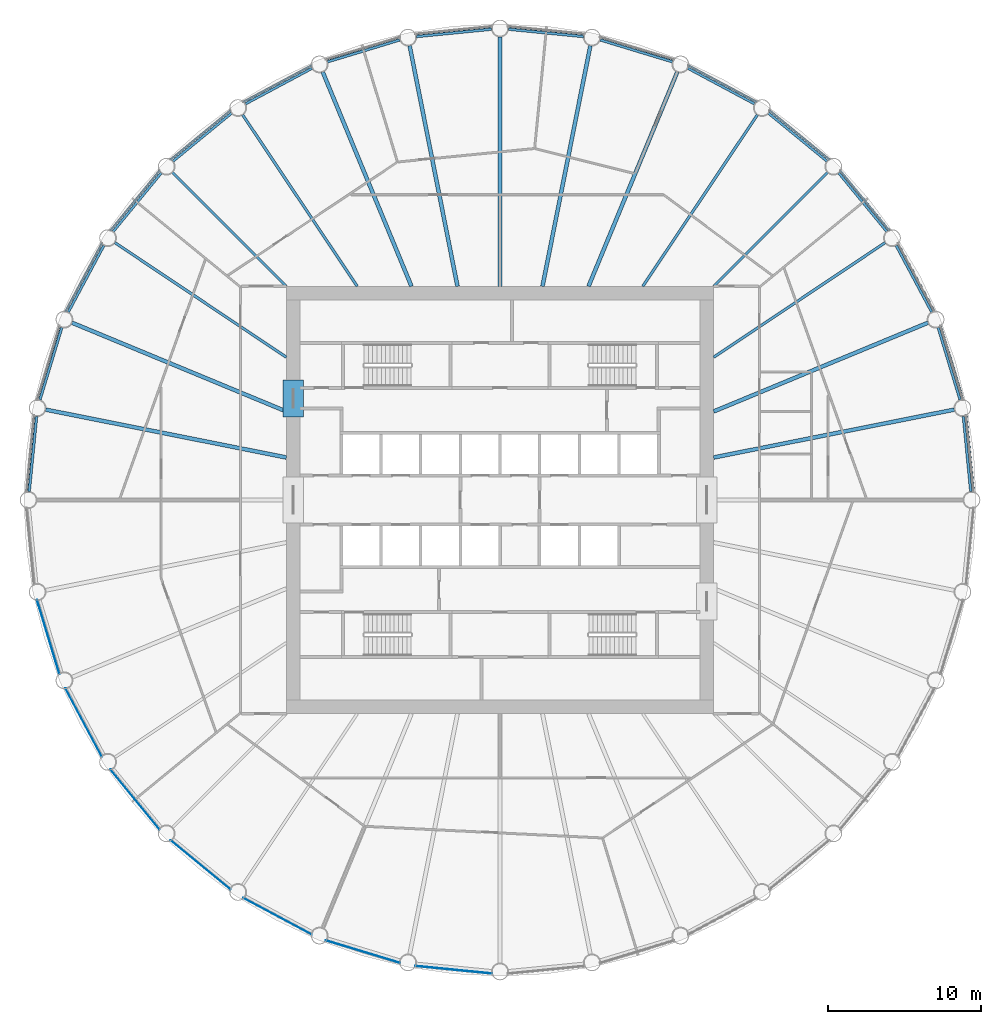
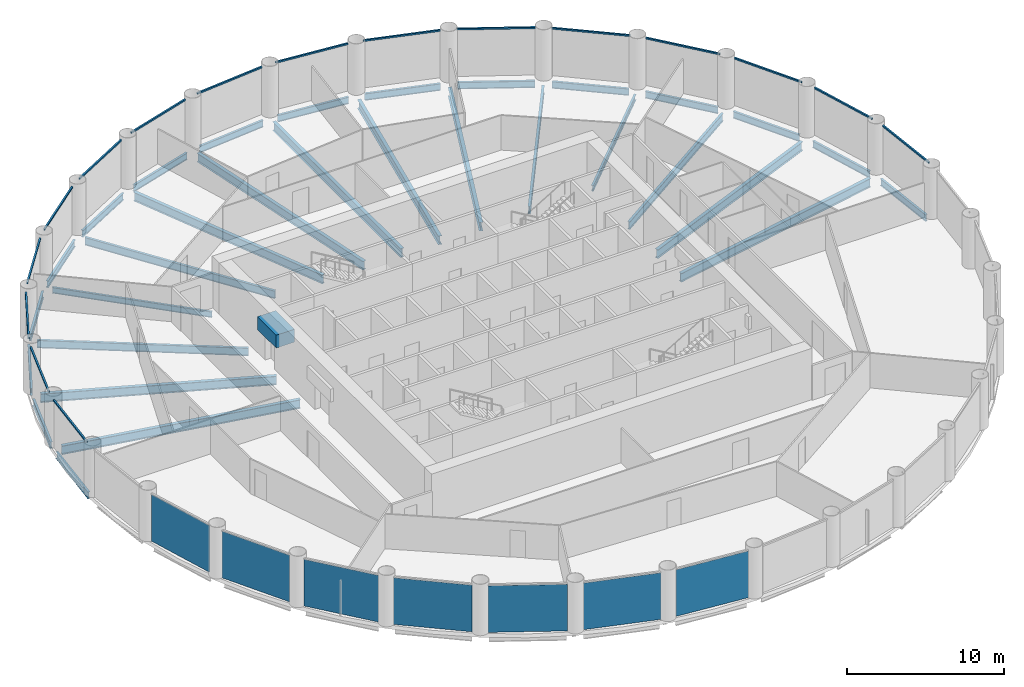
# One storey, part 2 of 9: 32 beams, 16 members, 7 plates, 23 elements without a shape of their own.
"""IFC4 building model written with IfcOpenShell, lengths in metres."""

from ifc_helpers import new_model, si_unit, direction, frame, origin, origin_2d, place, context, subcontext, project, spatial, rectangle, i_section, extrude, material, layer, layer_set, material_profile, profile_set, type_object, element, aggregate, save


model = new_model("IFC4")

# Units and contexts
model_context = context("Model", 3, precision=1e-05, world=origin(), true_north=direction((0.0, 1.0)))
body_context = subcontext(model_context, "Body", "Model", "MODEL_VIEW")
ifc_project = project(units=[si_unit("LENGTHUNIT", "METRE"), si_unit("AREAUNIT", "SQUARE_METRE"), si_unit("VOLUMEUNIT", "CUBIC_METRE"), si_unit("PLANEANGLEUNIT", "RADIAN"), si_unit("MASSUNIT", "GRAM", prefix="KILO")], contexts=[model_context])

# Site, building, storey
site_placement = place(None, origin())
site = spatial("IfcSite", under=ifc_project, at=site_placement, CompositionType="ELEMENT")
building_placement = place(site_placement, origin())
building = spatial("IfcBuilding", under=site, at=building_placement, Name="Corvane Civic Tower", CompositionType="ELEMENT")
storey_placement = place(building_placement, frame((0.0, 0.0, 180.0)))
storey = spatial("IfcBuildingStorey", under=building, at=storey_placement, Name="L42", CompositionType="ELEMENT", Elevation=180.0)

# Beams
ifc_material_1 = material(Name="Concrete C60/75", Category="concrete")
ifc_material_profile_1 = material_profile(ifc_material_1, rectangle(XDim=1.35009765625, YDim=1.0, at=origin_2d()), Name="COUPLING BEAM 1350X1000")
ifc_profile_set_1 = profile_set([ifc_material_profile_1], Name="Concrete C60/75")
beam_type_1 = type_object("IfcBeamType", Name="COUPLING BEAM COUPLING BEAM 1350X1000", PredefinedType="BEAM", material=ifc_profile_set_1)
beam_1_placement = place(storey_placement, frame((-13.550048828125, 5.449951171875, 2.60009765625), z_axis=(0.0, 1.0, 0.0), x_axis=(-1.0, 0.0, 0.0)))
element("IfcBeam", 1, at=beam_1_placement, inside=storey, type_object=beam_type_1, Name="BM-L42-cpl-CW-WN", PredefinedType="BEAM", context=body_context, shape_type="SweptSolid", body=[
    extrude(rectangle(XDim=1.35009765625, YDim=1.0, at=origin_2d()), origin(), (0.0, 0.0, 1.0), 2.400146484375),
])
ifc_material_2 = material(Name="Steel ASTM A992 Gr 50", Category="steel")
ifc_material_profile_2 = material_profile(ifc_material_2, i_section(OverallWidth=0.165771484375, OverallDepth=0.5283203125, WebThickness=0.009765625, FlangeThickness=0.013671875, at=origin_2d()), Name="W21X50")
ifc_profile_set_2 = profile_set([ifc_material_profile_2], Name="Steel ASTM A992 Gr 50")
beam_type_2 = type_object("IfcBeamType", Name="EDGE BEAM W21X50", PredefinedType="BEAM", material=ifc_profile_set_2)
beam_2_placement = place(storey_placement, frame((0.54736328125, 30.845947265625, -0.564208984375), z_axis=(0.995186236294, -0.09800181167, 0.0), x_axis=(0.09800181167, 0.995186236294, 0.0)))
element("IfcBeam", 2, at=beam_2_placement, inside=storey, type_object=beam_type_2, Name="BM-L42-E01", PredefinedType="BEAM", context=body_context, shape_type="SweptSolid", body=[
    extrude(i_section(OverallWidth=0.165771484375, OverallDepth=0.5283203125, WebThickness=0.009765625, FlangeThickness=0.013671875, at=origin_2d()), origin(), (0.0, 0.0, 1.0), 4.95751953125),
])
beam_3_placement = place(storey_placement, frame((6.5546875, 30.146484375, -0.564208984375), z_axis=(0.956944842086, -0.290269821381, 0.0), x_axis=(0.290269821381, 0.956944842086, 0.0)))
element("IfcBeam", 3, at=beam_3_placement, inside=storey, type_object=beam_type_2, Name="BM-L42-E02", PredefinedType="BEAM", context=body_context, shape_type="SweptSolid", body=[
    extrude(i_section(OverallWidth=0.165771484375, OverallDepth=0.5283203125, WebThickness=0.009765625, FlangeThickness=0.013671875, at=origin_2d()), origin(), (0.0, 0.0, 1.0), 4.957275390625),
])
for number, where, z_axis, x_axis, name in (
    (4, (12.31005859375, 28.28857421875, -0.564208984375), (0.881921784846, -0.471395763042, 0.0), (0.471395763042, 0.881921784846, 0.0), "BM-L42-E03"),
    (5, (17.59228515625, 25.343505859375, -0.564208984375), (0.77301516208, -0.634387546532, 0.0), (0.634387546532, 0.77301516208, 0.0), "BM-L42-E04"),
    (6, (22.198486328125, 21.424560546875, -0.564208984375), (0.634387546532, -0.77301516208, 0.0), (0.77301516208, 0.634387546532, 0.0), "BM-L42-E05"),
    (7, (25.95166015625, 16.68212890625, -0.564208984375), (0.471395763042, -0.881921784846, 0.0), (0.881921784846, 0.471395763042, 0.0), "BM-L42-E06"),
):
    element("IfcBeam", number, at=place(storey_placement, frame(where, z_axis=z_axis, x_axis=x_axis)), inside=storey, type_object=beam_type_2, Name=name, PredefinedType="BEAM", context=body_context, shape_type="SweptSolid", body=[
        extrude(i_section(OverallWidth=0.165771484375, OverallDepth=0.5283203125, WebThickness=0.009765625, FlangeThickness=0.013671875, at=origin_2d()), origin(), (0.0, 0.0, 1.0), 4.95751953125),
    ])
beam_4_placement = place(storey_placement, frame((28.70751953125, 11.298583984375, -0.564208984375), z_axis=(0.290269821381, -0.956944842086, 0.0), x_axis=(0.956944842086, 0.290269821381, 0.0)))
element("IfcBeam", 8, at=beam_4_placement, inside=storey, type_object=beam_type_2, Name="BM-L42-E07", PredefinedType="BEAM", context=body_context, shape_type="SweptSolid", body=[
    extrude(i_section(OverallWidth=0.165771484375, OverallDepth=0.5283203125, WebThickness=0.009765625, FlangeThickness=0.013671875, at=origin_2d()), origin(), (0.0, 0.0, 1.0), 4.957275390625),
])
for number, where, z_axis, x_axis, name in (
    (9, (30.360107421875, 5.48095703125, -0.564208984375), (0.09800181167, -0.995186236294, 0.0), (0.995186236294, 0.09800181167, 0.0), "BM-L42-E08"),
    (10, (-30.845947265625, 0.54736328125, -0.564208984375), (0.09800181167, 0.995186236294, 0.0), (-0.995186236294, 0.09800181167, 0.0), "BM-L42-E25"),
):
    element("IfcBeam", number, at=place(storey_placement, frame(where, z_axis=z_axis, x_axis=x_axis)), inside=storey, type_object=beam_type_2, Name=name, PredefinedType="BEAM", context=body_context, shape_type="SweptSolid", body=[
        extrude(i_section(OverallWidth=0.165771484375, OverallDepth=0.5283203125, WebThickness=0.009765625, FlangeThickness=0.013671875, at=origin_2d()), origin(), (0.0, 0.0, 1.0), 4.95751953125),
    ])
beam_5_placement = place(storey_placement, frame((-30.146484375, 6.5546875, -0.564208984375), z_axis=(0.290269821381, 0.956944842086, 0.0), x_axis=(-0.956944842086, 0.290269821381, 0.0)))
element("IfcBeam", 11, at=beam_5_placement, inside=storey, type_object=beam_type_2, Name="BM-L42-E26", PredefinedType="BEAM", context=body_context, shape_type="SweptSolid", body=[
    extrude(i_section(OverallWidth=0.165771484375, OverallDepth=0.5283203125, WebThickness=0.009765625, FlangeThickness=0.013671875, at=origin_2d()), origin(), (0.0, 0.0, 1.0), 4.957275390625),
])
for number, where, z_axis, x_axis, name in (
    (12, (-28.28857421875, 12.31005859375, -0.564208984375), (0.471395763042, 0.881921784846, 0.0), (-0.881921784846, 0.471395763042, 0.0), "BM-L42-E27"),
    (13, (-25.343505859375, 17.59228515625, -0.564208984375), (0.634387546532, 0.77301516208, 0.0), (-0.77301516208, 0.634387546532, 0.0), "BM-L42-E28"),
    (14, (-21.424560546875, 22.198486328125, -0.564208984375), (0.77301516208, 0.634387546532, 0.0), (-0.634387546532, 0.77301516208, 0.0), "BM-L42-E29"),
    (15, (-16.68212890625, 25.95166015625, -0.564208984375), (0.881921784846, 0.471395763042, 0.0), (-0.471395763042, 0.881921784846, 0.0), "BM-L42-E30"),
):
    element("IfcBeam", number, at=place(storey_placement, frame(where, z_axis=z_axis, x_axis=x_axis)), inside=storey, type_object=beam_type_2, Name=name, PredefinedType="BEAM", context=body_context, shape_type="SweptSolid", body=[
        extrude(i_section(OverallWidth=0.165771484375, OverallDepth=0.5283203125, WebThickness=0.009765625, FlangeThickness=0.013671875, at=origin_2d()), origin(), (0.0, 0.0, 1.0), 4.95751953125),
    ])
beam_6_placement = place(storey_placement, frame((-11.298583984375, 28.70751953125, -0.564208984375), z_axis=(0.956944842086, 0.290269821381, 0.0), x_axis=(-0.290269821381, 0.956944842086, 0.0)))
element("IfcBeam", 16, at=beam_6_placement, inside=storey, type_object=beam_type_2, Name="BM-L42-E31", PredefinedType="BEAM", context=body_context, shape_type="SweptSolid", body=[
    extrude(i_section(OverallWidth=0.165771484375, OverallDepth=0.5283203125, WebThickness=0.009765625, FlangeThickness=0.013671875, at=origin_2d()), origin(), (0.0, 0.0, 1.0), 4.957275390625),
])
beam_7_placement = place(storey_placement, frame((-5.48095703125, 30.360107421875, -0.564208984375), z_axis=(0.995186236294, 0.09800181167, 0.0), x_axis=(-0.09800181167, 0.995186236294, 0.0)))
element("IfcBeam", 17, at=beam_7_placement, inside=storey, type_object=beam_type_2, Name="BM-L42-E32", PredefinedType="BEAM", context=body_context, shape_type="SweptSolid", body=[
    extrude(i_section(OverallWidth=0.165771484375, OverallDepth=0.5283203125, WebThickness=0.009765625, FlangeThickness=0.013671875, at=origin_2d()), origin(), (0.0, 0.0, 1.0), 4.95751953125),
])
ifc_material_3 = material(Name="Steel ASTM A992 Gr 50", Category="steel")
ifc_material_profile_3 = material_profile(ifc_material_3, i_section(OverallWidth=0.15283203125, OverallDepth=0.45458984375, WebThickness=0.008056640625, FlangeThickness=0.013427734375, at=origin_2d()), Name="W18X40")
ifc_profile_set_3 = profile_set([ifc_material_profile_3], Name="Steel ASTM A992 Gr 50")
beam_type_3 = type_object("IfcBeamType", Name="FLOOR GIRDER W18X40", PredefinedType="BEAM", material=ifc_profile_set_3)
for number, where, z_axis, x_axis, name in (
    (18, (14.0, 14.0, -0.52734375), (0.707106781187, 0.707106781187, 0.0), (-0.707106781187, 0.707106781187, 0.0), "BM-L42-G05"),
    (19, (-14.0, 14.0, -0.52734375), (-0.707106781187, 0.707106781187, 0.0), (-0.707106781187, -0.707106781187, 0.0), "BM-L42-G29"),
):
    element("IfcBeam", number, at=place(storey_placement, frame(where, z_axis=z_axis, x_axis=x_axis)), inside=storey, type_object=beam_type_3, Name=name, PredefinedType="BEAM", context=body_context, shape_type="SweptSolid", body=[
        extrude(i_section(OverallWidth=0.15283203125, OverallDepth=0.45458984375, WebThickness=0.008056640625, FlangeThickness=0.013427734375, at=origin_2d()), origin(), (0.0, 0.0, 1.0), 10.551025390625),
    ])
ifc_material_4 = material(Name="Steel ASTM A992 Gr 50", Category="steel")
ifc_material_profile_4 = material_profile(ifc_material_4, i_section(OverallWidth=0.177978515625, OverallDepth=0.599365234375, WebThickness=0.010009765625, FlangeThickness=0.012939453125, at=origin_2d()), Name="W24X55")
ifc_profile_set_4 = profile_set([ifc_material_profile_4], Name="Steel ASTM A992 Gr 50")
beam_type_4 = type_object("IfcBeamType", Name="FLOOR GIRDER W24X55", PredefinedType="BEAM", material=ifc_profile_set_4)
for number, where, z_axis, x_axis, name in (
    (20, (9.3544921875, 14.0, -0.599609375), (0.555571323015, 0.83146888399, 0.0), (-0.83146888399, 0.555571323015, 0.0), "BM-L42-G04"),
    (21, (14.0, 9.3544921875, -0.599609375), (0.83146888399, 0.555571323015, 0.0), (-0.555571323015, 0.83146888399, 0.0), "BM-L42-G06"),
    (22, (-14.0, 9.3544921875, -0.599609375), (-0.83146888399, 0.555571323015, 0.0), (-0.555571323015, -0.83146888399, 0.0), "BM-L42-G28"),
    (23, (-9.3544921875, 14.0, -0.599609375), (-0.555571323015, 0.83146888399, 0.0), (-0.83146888399, -0.555571323015, 0.0), "BM-L42-G30"),
):
    element("IfcBeam", number, at=place(storey_placement, frame(where, z_axis=z_axis, x_axis=x_axis)), inside=storey, type_object=beam_type_4, Name=name, PredefinedType="BEAM", context=body_context, shape_type="SweptSolid", body=[
        extrude(i_section(OverallWidth=0.177978515625, OverallDepth=0.599365234375, WebThickness=0.010009765625, FlangeThickness=0.012939453125, at=origin_2d()), origin(), (0.0, 0.0, 1.0), 13.512451171875),
    ])
ifc_material_5 = material(Name="Steel ASTM A992 Gr 50", Category="steel")
ifc_material_profile_5 = material_profile(ifc_material_5, i_section(OverallWidth=0.25390625, OverallDepth=0.67822265625, WebThickness=0.01171875, FlangeThickness=0.016357421875, at=origin_2d()), Name="W27X84")
ifc_profile_set_5 = profile_set([ifc_material_profile_5], Name="Steel ASTM A992 Gr 50")
beam_type_5 = type_object("IfcBeamType", Name="FLOOR GIRDER W27X84", PredefinedType="BEAM", material=ifc_profile_set_5)
beam_8_placement = place(storey_placement, frame((0.0, 14.0, -0.63916015625), z_axis=(0.0, 1.0, 0.0), x_axis=(-1.0, 0.0, 0.0)))
element("IfcBeam", 24, at=beam_8_placement, inside=storey, type_object=beam_type_5, Name="BM-L42-G01", PredefinedType="BEAM", context=body_context, shape_type="SweptSolid", body=[
    extrude(i_section(OverallWidth=0.25390625, OverallDepth=0.67822265625, WebThickness=0.01171875, FlangeThickness=0.016357421875, at=origin_2d()), origin(), (0.0, 0.0, 1.0), 16.35009765625),
])
beam_9_placement = place(storey_placement, frame((2.78466796875, 14.0, -0.63916015625), z_axis=(0.195090912248, 0.980785162999, 0.0), x_axis=(-0.980785162999, 0.195090912248, 0.0)))
element("IfcBeam", 25, at=beam_9_placement, inside=storey, type_object=beam_type_5, Name="BM-L42-G02", PredefinedType="BEAM", context=body_context, shape_type="SweptSolid", body=[
    extrude(i_section(OverallWidth=0.25390625, OverallDepth=0.67822265625, WebThickness=0.01171875, FlangeThickness=0.016357421875, at=origin_2d()), origin(), (0.0, 0.0, 1.0), 16.07568359375),
])
for number, where, z_axis, x_axis, name in (
    (26, (5.799072265625, 14.0, -0.63916015625), (0.38268097323, 0.923880551114, 0.0), (-0.923880551114, 0.38268097323, 0.0), "BM-L42-G03"),
    (27, (14.0, 5.799072265625, -0.63916015625), (0.923880551114, 0.38268097323, 0.0), (-0.38268097323, 0.923880551114, 0.0), "BM-L42-G07"),
):
    element("IfcBeam", number, at=place(storey_placement, frame(where, z_axis=z_axis, x_axis=x_axis)), inside=storey, type_object=beam_type_5, Name=name, PredefinedType="BEAM", context=body_context, shape_type="SweptSolid", body=[
        extrude(i_section(OverallWidth=0.25390625, OverallDepth=0.67822265625, WebThickness=0.01171875, FlangeThickness=0.016357421875, at=origin_2d()), origin(), (0.0, 0.0, 1.0), 15.196533203125),
    ])
for number, where, z_axis, x_axis, name in (
    (28, (14.0, 2.78466796875, -0.63916015625), (0.980785162999, 0.195090912248, 0.0), (-0.195090912248, 0.980785162999, 0.0), "BM-L42-G08"),
    (29, (-14.0, 2.78466796875, -0.63916015625), (-0.980785162999, 0.195090912248, 0.0), (-0.195090912248, -0.980785162999, 0.0), "BM-L42-G26"),
):
    element("IfcBeam", number, at=place(storey_placement, frame(where, z_axis=z_axis, x_axis=x_axis)), inside=storey, type_object=beam_type_5, Name=name, PredefinedType="BEAM", context=body_context, shape_type="SweptSolid", body=[
        extrude(i_section(OverallWidth=0.25390625, OverallDepth=0.67822265625, WebThickness=0.01171875, FlangeThickness=0.016357421875, at=origin_2d()), origin(), (0.0, 0.0, 1.0), 16.07568359375),
    ])
for number, where, z_axis, x_axis, name in (
    (30, (-14.0, 5.799072265625, -0.63916015625), (-0.923880551114, 0.38268097323, 0.0), (-0.38268097323, -0.923880551114, 0.0), "BM-L42-G27"),
    (31, (-5.799072265625, 14.0, -0.63916015625), (-0.38268097323, 0.923880551114, 0.0), (-0.923880551114, -0.38268097323, 0.0), "BM-L42-G31"),
):
    element("IfcBeam", number, at=place(storey_placement, frame(where, z_axis=z_axis, x_axis=x_axis)), inside=storey, type_object=beam_type_5, Name=name, PredefinedType="BEAM", context=body_context, shape_type="SweptSolid", body=[
        extrude(i_section(OverallWidth=0.25390625, OverallDepth=0.67822265625, WebThickness=0.01171875, FlangeThickness=0.016357421875, at=origin_2d()), origin(), (0.0, 0.0, 1.0), 15.196533203125),
    ])
beam_10_placement = place(storey_placement, frame((-2.78466796875, 14.0, -0.63916015625), z_axis=(-0.195090912248, 0.980785162999, 0.0), x_axis=(-0.980785162999, -0.195090912248, 0.0)))
element("IfcBeam", 32, at=beam_10_placement, inside=storey, type_object=beam_type_5, Name="BM-L42-G32", PredefinedType="BEAM", context=body_context, shape_type="SweptSolid", body=[
    extrude(i_section(OverallWidth=0.25390625, OverallDepth=0.67822265625, WebThickness=0.01171875, FlangeThickness=0.016357421875, at=origin_2d()), origin(), (0.0, 0.0, 1.0), 16.07568359375),
])

# Curtain wall, member
ifc_material_6 = material(Name="Anodised aluminium bronze", Category="aluminium")
curtain_wall_type = type_object("IfcCurtainWallType", Name="TOWER CW-T2 STICK CURTAIN WALL", PredefinedType="NOTDEFINED", material=ifc_material_6)
curtain_wall_1_placement = place(storey_placement, origin())
curtain_wall_1 = element("IfcCurtainWall", 33, at=curtain_wall_1_placement, inside=storey, type_object=curtain_wall_type, Name="Curtain wall CW-T2 L42 bay 01", PredefinedType="NOTDEFINED")
ifc_material_7 = material(Name="Anodised aluminium bronze", Category="aluminium")
ifc_material_profile_6 = material_profile(ifc_material_7, rectangle(XDim=0.1201171875, YDim=0.1201171875, at=origin_2d()), Name="TOWER CW-T2 TRANSOM 120x120")
ifc_profile_set_6 = profile_set([ifc_material_profile_6], Name="Anodised aluminium bronze")
member_type = type_object("IfcMemberType", Name="TOWER CW-T2 TRANSOM 120x120", PredefinedType="USERDEFINED", material=ifc_profile_set_6)
member_1_placement = place(storey_placement, frame((0.505126953125, 31.0302734375, 3.68994140625), z_axis=(0.995187423416, -0.097989755963, 0.0), x_axis=(0.097989755963, 0.995187423416, 0.0)))
member_1 = element("IfcMember", 34, at=member_1_placement, type_object=member_type, Name="Transom CW-T2 L42 01.1", ObjectType="TRANSOM", PredefinedType="USERDEFINED", context=body_context, shape_type="SweptSolid", body=[
    extrude(rectangle(XDim=0.1201171875, YDim=0.1201171875, at=origin_2d()), origin(), (0.0, 0.0, 1.0), 5.07763671875),
])
aggregate(curtain_wall_1, [member_1])

curtain_wall_2_placement = place(storey_placement, origin())
curtain_wall_2 = element("IfcCurtainWall", 35, at=curtain_wall_2_placement, inside=storey, type_object=curtain_wall_type, Name="Curtain wall CW-T2 L42 bay 02", PredefinedType="NOTDEFINED")
member_2_placement = place(storey_placement, frame((6.54931640625, 30.33544921875, 3.68994140625), z_axis=(0.956939031389, -0.290288977061, 0.0), x_axis=(0.290288977061, 0.956939031389, 0.0)))
member_2 = element("IfcMember", 36, at=member_2_placement, type_object=member_type, Name="Transom CW-T2 L42 02.1", ObjectType="TRANSOM", PredefinedType="USERDEFINED", context=body_context, shape_type="SweptSolid", body=[
    extrude(rectangle(XDim=0.1201171875, YDim=0.1201171875, at=origin_2d()), origin(), (0.0, 0.0, 1.0), 5.077392578125),
])
aggregate(curtain_wall_2, [member_2])

curtain_wall_3_placement = place(storey_placement, origin())
curtain_wall_3 = element("IfcCurtainWall", 37, at=curtain_wall_3_placement, inside=storey, type_object=curtain_wall_type, Name="Curtain wall CW-T2 L42 bay 03", PredefinedType="NOTDEFINED")
member_3_placement = place(storey_placement, frame((12.341552734375, 28.474853515625, 3.68994140625), z_axis=(0.881921329426, -0.471396615074, 0.0), x_axis=(0.471396615074, 0.881921329426, 0.0)))
member_3 = element("IfcMember", 38, at=member_3_placement, type_object=member_type, Name="Transom CW-T2 L42 03.1", ObjectType="TRANSOM", PredefinedType="USERDEFINED", context=body_context, shape_type="SweptSolid", body=[
    extrude(rectangle(XDim=0.1201171875, YDim=0.1201171875, at=origin_2d()), origin(), (0.0, 0.0, 1.0), 5.07763671875),
])
aggregate(curtain_wall_3, [member_3])

curtain_wall_4_placement = place(storey_placement, origin())
curtain_wall_4 = element("IfcCurtainWall", 39, at=curtain_wall_4_placement, inside=storey, type_object=curtain_wall_type, Name="Curtain wall CW-T2 L42 bay 04", PredefinedType="NOTDEFINED")
member_4_placement = place(storey_placement, frame((17.65966796875, 25.519775390625, 3.68994140625), z_axis=(0.773015929719, -0.634386611146, 0.0), x_axis=(0.634386611146, 0.773015929719, 0.0)))
member_4 = element("IfcMember", 40, at=member_4_placement, type_object=member_type, Name="Transom CW-T2 L42 04.1", ObjectType="TRANSOM", PredefinedType="USERDEFINED", context=body_context, shape_type="SweptSolid", body=[
    extrude(rectangle(XDim=0.1201171875, YDim=0.1201171875, at=origin_2d()), origin(), (0.0, 0.0, 1.0), 5.0771484375),
])
aggregate(curtain_wall_4, [member_4])

curtain_wall_5_placement = place(storey_placement, origin())
curtain_wall_5 = element("IfcCurtainWall", 41, at=curtain_wall_5_placement, inside=storey, type_object=curtain_wall_type, Name="Curtain wall CW-T2 L42 bay 05", PredefinedType="NOTDEFINED")
member_5_placement = place(storey_placement, frame((22.298828125, 21.58447265625, 3.68994140625), z_axis=(0.634386611146, -0.773015929719, 0.0), x_axis=(0.773015929719, 0.634386611146, 0.0)))
member_5 = element("IfcMember", 42, at=member_5_placement, type_object=member_type, Name="Transom CW-T2 L42 05.1", ObjectType="TRANSOM", PredefinedType="USERDEFINED", context=body_context, shape_type="SweptSolid", body=[
    extrude(rectangle(XDim=0.1201171875, YDim=0.1201171875, at=origin_2d()), origin(), (0.0, 0.0, 1.0), 5.0771484375),
])
aggregate(curtain_wall_5, [member_5])

curtain_wall_6_placement = place(storey_placement, origin())
curtain_wall_6 = element("IfcCurtainWall", 43, at=curtain_wall_6_placement, inside=storey, type_object=curtain_wall_type, Name="Curtain wall CW-T2 L42 bay 06", PredefinedType="NOTDEFINED")
member_6_placement = place(storey_placement, frame((26.081298828125, 16.819580078125, 3.68994140625), z_axis=(0.471396615074, -0.881921329426, 0.0), x_axis=(0.881921329426, 0.471396615074, 0.0)))
member_6 = element("IfcMember", 44, at=member_6_placement, type_object=member_type, Name="Transom CW-T2 L42 06.1", ObjectType="TRANSOM", PredefinedType="USERDEFINED", context=body_context, shape_type="SweptSolid", body=[
    extrude(rectangle(XDim=0.1201171875, YDim=0.1201171875, at=origin_2d()), origin(), (0.0, 0.0, 1.0), 5.07763671875),
])
aggregate(curtain_wall_6, [member_6])

curtain_wall_7_placement = place(storey_placement, origin())
curtain_wall_7 = element("IfcCurtainWall", 45, at=curtain_wall_7_placement, inside=storey, type_object=curtain_wall_type, Name="Curtain wall CW-T2 L42 bay 07", PredefinedType="NOTDEFINED")
member_7_placement = place(storey_placement, frame((28.861572265625, 11.407958984375, 3.68994140625), z_axis=(0.290288977061, -0.956939031389, 0.0), x_axis=(0.956939031389, 0.290288977061, 0.0)))
member_7 = element("IfcMember", 46, at=member_7_placement, type_object=member_type, Name="Transom CW-T2 L42 07.1", ObjectType="TRANSOM", PredefinedType="USERDEFINED", context=body_context, shape_type="SweptSolid", body=[
    extrude(rectangle(XDim=0.1201171875, YDim=0.1201171875, at=origin_2d()), origin(), (0.0, 0.0, 1.0), 5.077392578125),
])
aggregate(curtain_wall_7, [member_7])

curtain_wall_8_placement = place(storey_placement, origin())
curtain_wall_8 = element("IfcCurtainWall", 47, at=curtain_wall_8_placement, inside=storey, type_object=curtain_wall_type, Name="Curtain wall CW-T2 L42 bay 08", PredefinedType="NOTDEFINED")
member_8_placement = place(storey_placement, frame((30.53271484375, 5.558349609375, 3.68994140625), z_axis=(0.097989755963, -0.995187423416, 0.0), x_axis=(0.995187423416, 0.097989755963, 0.0)))
member_8 = element("IfcMember", 48, at=member_8_placement, type_object=member_type, Name="Transom CW-T2 L42 08.1", ObjectType="TRANSOM", PredefinedType="USERDEFINED", context=body_context, shape_type="SweptSolid", body=[
    extrude(rectangle(XDim=0.1201171875, YDim=0.1201171875, at=origin_2d()), origin(), (0.0, 0.0, 1.0), 5.07763671875),
])
aggregate(curtain_wall_8, [member_8])

curtain_wall_9_placement = place(storey_placement, origin())
curtain_wall_9 = element("IfcCurtainWall", 49, at=curtain_wall_9_placement, inside=storey, type_object=curtain_wall_type, Name="Curtain wall CW-T2 L42 bay 25", PredefinedType="NOTDEFINED")
member_9_placement = place(storey_placement, frame((-31.0302734375, 0.505126953125, 3.68994140625), z_axis=(0.097989755963, 0.995187423416, 0.0), x_axis=(-0.995187423416, 0.097989755963, 0.0)))
member_9 = element("IfcMember", 50, at=member_9_placement, type_object=member_type, Name="Transom CW-T2 L42 25.1", ObjectType="TRANSOM", PredefinedType="USERDEFINED", context=body_context, shape_type="SweptSolid", body=[
    extrude(rectangle(XDim=0.1201171875, YDim=0.1201171875, at=origin_2d()), origin(), (0.0, 0.0, 1.0), 5.07763671875),
])
aggregate(curtain_wall_9, [member_9])

curtain_wall_10_placement = place(storey_placement, origin())
curtain_wall_10 = element("IfcCurtainWall", 51, at=curtain_wall_10_placement, inside=storey, type_object=curtain_wall_type, Name="Curtain wall CW-T2 L42 bay 26", PredefinedType="NOTDEFINED")
member_10_placement = place(storey_placement, frame((-30.33544921875, 6.54931640625, 3.68994140625), z_axis=(0.290288977061, 0.956939031389, 0.0), x_axis=(-0.956939031389, 0.290288977061, 0.0)))
member_10 = element("IfcMember", 52, at=member_10_placement, type_object=member_type, Name="Transom CW-T2 L42 26.1", ObjectType="TRANSOM", PredefinedType="USERDEFINED", context=body_context, shape_type="SweptSolid", body=[
    extrude(rectangle(XDim=0.1201171875, YDim=0.1201171875, at=origin_2d()), origin(), (0.0, 0.0, 1.0), 5.077392578125),
])
aggregate(curtain_wall_10, [member_10])

curtain_wall_11_placement = place(storey_placement, origin())
curtain_wall_11 = element("IfcCurtainWall", 53, at=curtain_wall_11_placement, inside=storey, type_object=curtain_wall_type, Name="Curtain wall CW-T2 L42 bay 27", PredefinedType="NOTDEFINED")
member_11_placement = place(storey_placement, frame((-28.474853515625, 12.341552734375, 3.68994140625), z_axis=(0.471396615074, 0.881921329426, 0.0), x_axis=(-0.881921329426, 0.471396615074, 0.0)))
member_11 = element("IfcMember", 54, at=member_11_placement, type_object=member_type, Name="Transom CW-T2 L42 27.1", ObjectType="TRANSOM", PredefinedType="USERDEFINED", context=body_context, shape_type="SweptSolid", body=[
    extrude(rectangle(XDim=0.1201171875, YDim=0.1201171875, at=origin_2d()), origin(), (0.0, 0.0, 1.0), 5.07763671875),
])
aggregate(curtain_wall_11, [member_11])

curtain_wall_12_placement = place(storey_placement, origin())
curtain_wall_12 = element("IfcCurtainWall", 55, at=curtain_wall_12_placement, inside=storey, type_object=curtain_wall_type, Name="Curtain wall CW-T2 L42 bay 28", PredefinedType="NOTDEFINED")
member_12_placement = place(storey_placement, frame((-25.519775390625, 17.65966796875, 3.68994140625), z_axis=(0.634386611146, 0.773015929719, 0.0), x_axis=(-0.773015929719, 0.634386611146, 0.0)))
member_12 = element("IfcMember", 56, at=member_12_placement, type_object=member_type, Name="Transom CW-T2 L42 28.1", ObjectType="TRANSOM", PredefinedType="USERDEFINED", context=body_context, shape_type="SweptSolid", body=[
    extrude(rectangle(XDim=0.1201171875, YDim=0.1201171875, at=origin_2d()), origin(), (0.0, 0.0, 1.0), 5.0771484375),
])
aggregate(curtain_wall_12, [member_12])

curtain_wall_13_placement = place(storey_placement, origin())
curtain_wall_13 = element("IfcCurtainWall", 57, at=curtain_wall_13_placement, inside=storey, type_object=curtain_wall_type, Name="Curtain wall CW-T2 L42 bay 29", PredefinedType="NOTDEFINED")
member_13_placement = place(storey_placement, frame((-21.58447265625, 22.298828125, 3.68994140625), z_axis=(0.773015929719, 0.634386611146, 0.0), x_axis=(-0.634386611146, 0.773015929719, 0.0)))
member_13 = element("IfcMember", 58, at=member_13_placement, type_object=member_type, Name="Transom CW-T2 L42 29.1", ObjectType="TRANSOM", PredefinedType="USERDEFINED", context=body_context, shape_type="SweptSolid", body=[
    extrude(rectangle(XDim=0.1201171875, YDim=0.1201171875, at=origin_2d()), origin(), (0.0, 0.0, 1.0), 5.0771484375),
])
aggregate(curtain_wall_13, [member_13])

curtain_wall_14_placement = place(storey_placement, origin())
curtain_wall_14 = element("IfcCurtainWall", 59, at=curtain_wall_14_placement, inside=storey, type_object=curtain_wall_type, Name="Curtain wall CW-T2 L42 bay 30", PredefinedType="NOTDEFINED")
member_14_placement = place(storey_placement, frame((-16.819580078125, 26.081298828125, 3.68994140625), z_axis=(0.881921329426, 0.471396615074, 0.0), x_axis=(-0.471396615074, 0.881921329426, 0.0)))
member_14 = element("IfcMember", 60, at=member_14_placement, type_object=member_type, Name="Transom CW-T2 L42 30.1", ObjectType="TRANSOM", PredefinedType="USERDEFINED", context=body_context, shape_type="SweptSolid", body=[
    extrude(rectangle(XDim=0.1201171875, YDim=0.1201171875, at=origin_2d()), origin(), (0.0, 0.0, 1.0), 5.07763671875),
])
aggregate(curtain_wall_14, [member_14])

curtain_wall_15_placement = place(storey_placement, origin())
curtain_wall_15 = element("IfcCurtainWall", 61, at=curtain_wall_15_placement, inside=storey, type_object=curtain_wall_type, Name="Curtain wall CW-T2 L42 bay 31", PredefinedType="NOTDEFINED")
member_15_placement = place(storey_placement, frame((-11.407958984375, 28.861572265625, 3.68994140625), z_axis=(0.956939031389, 0.290288977061, 0.0), x_axis=(-0.290288977061, 0.956939031389, 0.0)))
member_15 = element("IfcMember", 62, at=member_15_placement, type_object=member_type, Name="Transom CW-T2 L42 31.1", ObjectType="TRANSOM", PredefinedType="USERDEFINED", context=body_context, shape_type="SweptSolid", body=[
    extrude(rectangle(XDim=0.1201171875, YDim=0.1201171875, at=origin_2d()), origin(), (0.0, 0.0, 1.0), 5.077392578125),
])
aggregate(curtain_wall_15, [member_15])

curtain_wall_16_placement = place(storey_placement, origin())
curtain_wall_16 = element("IfcCurtainWall", 63, at=curtain_wall_16_placement, inside=storey, type_object=curtain_wall_type, Name="Curtain wall CW-T2 L42 bay 32", PredefinedType="NOTDEFINED")
member_16_placement = place(storey_placement, frame((-5.558349609375, 30.53271484375, 3.68994140625), z_axis=(0.995187423416, 0.097989755963, 0.0), x_axis=(-0.097989755963, 0.995187423416, 0.0)))
member_16 = element("IfcMember", 64, at=member_16_placement, type_object=member_type, Name="Transom CW-T2 L42 32.1", ObjectType="TRANSOM", PredefinedType="USERDEFINED", context=body_context, shape_type="SweptSolid", body=[
    extrude(rectangle(XDim=0.1201171875, YDim=0.1201171875, at=origin_2d()), origin(), (0.0, 0.0, 1.0), 5.07763671875),
])
aggregate(curtain_wall_16, [member_16])

# Curtain wall, plate
curtain_wall_17_placement = place(storey_placement, origin())
curtain_wall_17 = element("IfcCurtainWall", 65, at=curtain_wall_17_placement, inside=storey, type_object=curtain_wall_type, Name="Curtain wall CW-T2 L42 bay 17", PredefinedType="NOTDEFINED")
ifc_material_8 = material(Name="Tinted glass", Category="glass")
ifc_layer = layer(ifc_material_8, 0.031982421875)
ifc_layer_set = layer_set([ifc_layer], Name="Tinted glass")
plate_type = type_object("IfcPlateType", Name="TOWER CW-T2 PANEL IGU32", PredefinedType="CURTAIN_PANEL", material=ifc_layer_set)
plate_1_placement = place(storey_placement, frame((-3.03173828125, -30.781494140625, 0.0), z_axis=(0.0, 0.0, 1.0), x_axis=(-0.995185244531, 0.098011882274, 0.0)))
plate_1 = element("IfcPlate", 66, at=plate_1_placement, type_object=plate_type, Name="Glass panel CW-T2 L42 17.1", PredefinedType="CURTAIN_PANEL", context=body_context, shape_type="SweptSolid", body=[
    extrude(rectangle(XDim=5.07763671875, YDim=0.031982421875, at=origin_2d()), origin(), (0.0, 0.0, 1.0), 3.6298828125),
])
aggregate(curtain_wall_17, [plate_1])

curtain_wall_18_placement = place(storey_placement, origin())
curtain_wall_18 = element("IfcCurtainWall", 67, at=curtain_wall_18_placement, inside=storey, type_object=curtain_wall_type, Name="Curtain wall CW-T2 L42 bay 18", PredefinedType="NOTDEFINED")
plate_2_placement = place(storey_placement, frame((-8.978515625, -29.5986328125, 0.0), z_axis=(0.0, 0.0, 1.0), x_axis=(-0.956931677007, 0.290313219714, 0.0)))
plate_2 = element("IfcPlate", 68, at=plate_2_placement, type_object=plate_type, Name="Glass panel CW-T2 L42 18.1", PredefinedType="CURTAIN_PANEL", context=body_context, shape_type="SweptSolid", body=[
    extrude(rectangle(XDim=5.077392578125, YDim=0.031982421875, at=origin_2d()), origin(), (0.0, 0.0, 1.0), 3.6298828125),
])
aggregate(curtain_wall_18, [plate_2])

curtain_wall_19_placement = place(storey_placement, origin())
curtain_wall_19 = element("IfcCurtainWall", 69, at=curtain_wall_19_placement, inside=storey, type_object=curtain_wall_type, Name="Curtain wall CW-T2 L42 bay 19", PredefinedType="NOTDEFINED")
plate_3_placement = place(storey_placement, frame((-14.58056640625, -27.278076171875, 0.0), z_axis=(0.0, 0.0, 1.0), x_axis=(-0.881922190434, 0.471395004238, 0.0)))
plate_3 = element("IfcPlate", 70, at=plate_3_placement, type_object=plate_type, Name="Glass panel CW-T2 L42 19.1", PredefinedType="CURTAIN_PANEL", context=body_context, shape_type="SweptSolid", body=[
    extrude(rectangle(XDim=5.077392578125, YDim=0.031982421875, at=origin_2d()), origin(), (0.0, 0.0, 1.0), 3.6298828125),
])
aggregate(curtain_wall_19, [plate_3])

curtain_wall_20_placement = place(storey_placement, origin())
curtain_wall_20 = element("IfcCurtainWall", 71, at=curtain_wall_20_placement, inside=storey, type_object=curtain_wall_type, Name="Curtain wall CW-T2 L42 bay 20", PredefinedType="NOTDEFINED")
plate_4_placement = place(storey_placement, frame((-19.6220703125, -23.909423828125, 0.0), z_axis=(0.0, 0.0, 1.0), x_axis=(-0.773004844196, 0.634400118891, 0.0)))
plate_4 = element("IfcPlate", 72, at=plate_4_placement, type_object=plate_type, Name="Glass panel CW-T2 L42 20.1", PredefinedType="CURTAIN_PANEL", context=body_context, shape_type="SweptSolid", body=[
    extrude(rectangle(XDim=5.0771484375, YDim=0.031982421875, at=origin_2d()), origin(), (0.0, 0.0, 1.0), 3.6298828125),
])
aggregate(curtain_wall_20, [plate_4])

curtain_wall_21_placement = place(storey_placement, origin())
curtain_wall_21 = element("IfcCurtainWall", 73, at=curtain_wall_21_placement, inside=storey, type_object=curtain_wall_type, Name="Curtain wall CW-T2 L42 bay 21", PredefinedType="NOTDEFINED")
plate_5_placement = place(storey_placement, frame((-23.909423828125, -19.6220703125, 0.0), z_axis=(0.0, 0.0, 1.0), x_axis=(-0.634400118891, 0.773004844196, 0.0)))
plate_5 = element("IfcPlate", 74, at=plate_5_placement, type_object=plate_type, Name="Glass panel CW-T2 L42 21.1", PredefinedType="CURTAIN_PANEL", context=body_context, shape_type="SweptSolid", body=[
    extrude(rectangle(XDim=5.0771484375, YDim=0.031982421875, at=origin_2d()), origin(), (0.0, 0.0, 1.0), 3.6298828125),
])
aggregate(curtain_wall_21, [plate_5])

curtain_wall_22_placement = place(storey_placement, origin())
curtain_wall_22 = element("IfcCurtainWall", 75, at=curtain_wall_22_placement, inside=storey, type_object=curtain_wall_type, Name="Curtain wall CW-T2 L42 bay 22", PredefinedType="NOTDEFINED")
plate_6_placement = place(storey_placement, frame((-27.278076171875, -14.58056640625, 0.0), z_axis=(0.0, 0.0, 1.0), x_axis=(-0.471395004238, 0.881922190434, 0.0)))
plate_6 = element("IfcPlate", 76, at=plate_6_placement, type_object=plate_type, Name="Glass panel CW-T2 L42 22.1", PredefinedType="CURTAIN_PANEL", context=body_context, shape_type="SweptSolid", body=[
    extrude(rectangle(XDim=5.077392578125, YDim=0.031982421875, at=origin_2d()), origin(), (0.0, 0.0, 1.0), 3.6298828125),
])
aggregate(curtain_wall_22, [plate_6])

curtain_wall_23_placement = place(storey_placement, origin())
curtain_wall_23 = element("IfcCurtainWall", 77, at=curtain_wall_23_placement, inside=storey, type_object=curtain_wall_type, Name="Curtain wall CW-T2 L42 bay 23", PredefinedType="NOTDEFINED")
plate_7_placement = place(storey_placement, frame((-29.5986328125, -8.978515625, 0.0), z_axis=(0.0, 0.0, 1.0), x_axis=(-0.290313219714, 0.956931677007, 0.0)))
plate_7 = element("IfcPlate", 78, at=plate_7_placement, type_object=plate_type, Name="Glass panel CW-T2 L42 23.1", PredefinedType="CURTAIN_PANEL", context=body_context, shape_type="SweptSolid", body=[
    extrude(rectangle(XDim=5.077392578125, YDim=0.031982421875, at=origin_2d()), origin(), (0.0, 0.0, 1.0), 3.6298828125),
])
aggregate(curtain_wall_23, [plate_7])

save(model, "model.ifc")
